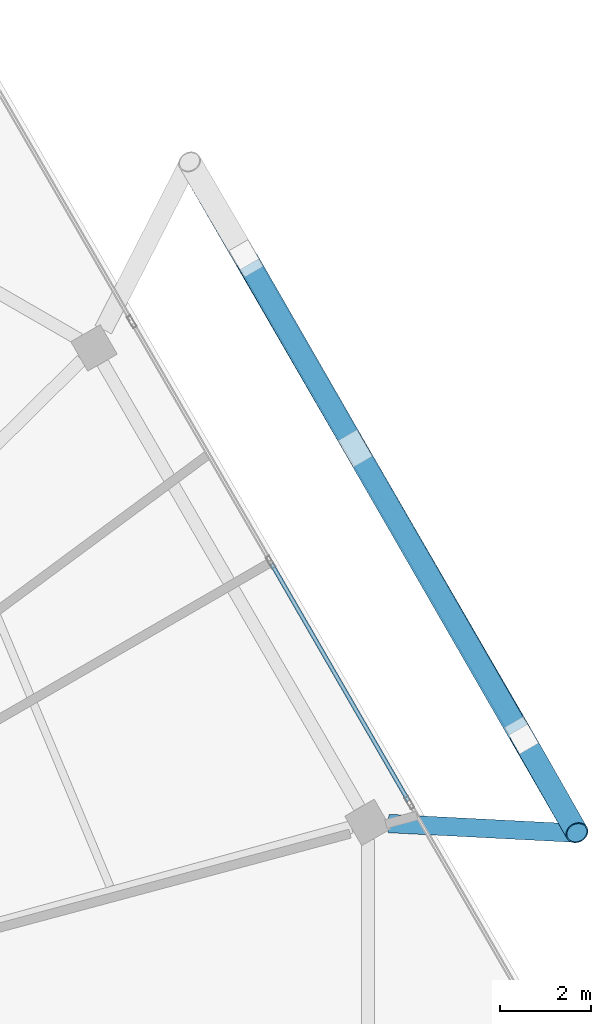
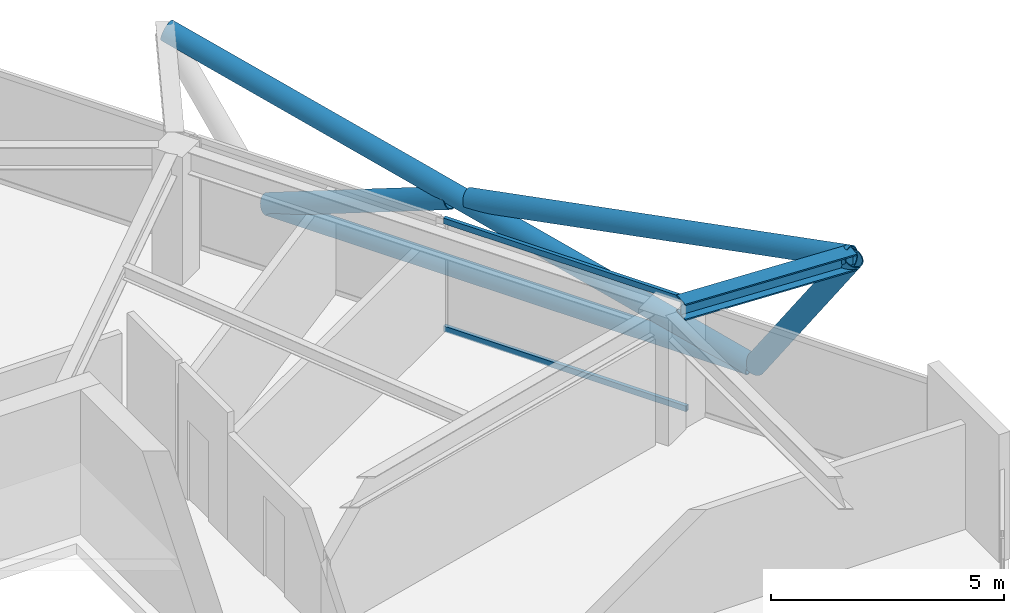
# One storey, part 14 of 23: 7 members, 1 beam, 1 element without a shape of its own.
"""IFC4 building model written with IfcOpenShell, lengths in metres."""

from ifc_helpers import new_model, si_unit, direction, frame, origin, origin_2d, place, context, subcontext, project, spatial, hollow_rectangle, hollow_circle, i_section, extrude, material, material_profile, profile_set, type_object, element, aggregate, save


model = new_model("IFC4")

# Units and contexts
model_context = context("Model", 3, precision=1e-05, world=origin(), true_north=direction((0.0, 1.0)))
body_context = subcontext(model_context, "Body", "Model", "MODEL_VIEW")
ifc_project = project(units=[si_unit("LENGTHUNIT", "METRE"), si_unit("AREAUNIT", "SQUARE_METRE"), si_unit("VOLUMEUNIT", "CUBIC_METRE"), si_unit("PLANEANGLEUNIT", "RADIAN"), si_unit("MASSUNIT", "GRAM", prefix="KILO")], contexts=[model_context])

# Site, building, storey
site_placement = place(None, origin())
site = spatial("IfcSite", under=ifc_project, at=site_placement, CompositionType="ELEMENT")
building_placement = place(site_placement, origin())
building = spatial("IfcBuilding", under=site, at=building_placement, Name="Zuhravey Tower", CompositionType="ELEMENT")
storey_placement = place(building_placement, frame((0.0, 0.0, 353.800048828125)))
storey = spatial("IfcBuildingStorey", under=building, at=storey_placement, Name="L90", CompositionType="ELEMENT", Elevation=353.800048828125)

# Curtain wall, members
ifc_material_1 = material(Name="Thermally broken anodised aluminium", Category="aluminium")
curtain_wall_type = type_object("IfcCurtainWallType", Name="Zone 3-4 High-Rise Curtain Wall CW4", PredefinedType="NOTDEFINED", material=ifc_material_1)
curtain_wall_placement = place(storey_placement, origin())
curtain_wall = element("IfcCurtainWall", 1, at=curtain_wall_placement, inside=storey, type_object=curtain_wall_type, Name="L90 CW4 CW-L90-F1-1", PredefinedType="NOTDEFINED")
ifc_material_2 = material(Name="Anodised aluminium", Category="aluminium")
ifc_material_profile_1 = material_profile(ifc_material_2, hollow_rectangle(XDim=0.090087890625, YDim=0.14990234375, WallThickness=0.0048828125, at=origin_2d()), Name="ALU-RHS-90x150x5")
ifc_profile_set_1 = profile_set([ifc_material_profile_1], Name="Anodised aluminium")
member_type_1 = type_object("IfcMemberType", Name="Curtain-Wall Transom 90x150", PredefinedType="USERDEFINED", material=ifc_profile_set_1)
member_1_placement = place(storey_placement, frame((56.871337890625, 43.998046875, 0.044921875), z_axis=(0.499988837749, -0.866031848217, 0.0), x_axis=(0.866031848217, 0.499988837749, 0.0)))
member_1 = element("IfcMember", 2, at=member_1_placement, type_object=member_type_1, Name="CW4 transom 3.1", ObjectType="TRANSOM", PredefinedType="USERDEFINED", context=body_context, shape_type="SweptSolid", body=[
    extrude(hollow_rectangle(XDim=0.090087890625, YDim=0.14990234375, WallThickness=0.0048828125, at=origin_2d()), origin(), (0.0, 0.0, 1.0), 6.029541015625),
])
member_2_placement = place(storey_placement, frame((56.871337890625, 43.998046875, 2.876953125), z_axis=(0.499988837749, -0.866031848217, 0.0), x_axis=(0.866031848217, 0.499988837749, 0.0)))
member_2 = element("IfcMember", 3, at=member_2_placement, type_object=member_type_1, Name="CW4 transom 3.2", ObjectType="TRANSOM", PredefinedType="USERDEFINED", context=body_context, shape_type="SweptSolid", body=[
    extrude(hollow_rectangle(XDim=0.090087890625, YDim=0.14990234375, WallThickness=0.0048828125, at=origin_2d()), origin(), (0.0, 0.0, 1.0), 6.029541015625),
])
aggregate(curtain_wall, [member_1, member_2])

# Beam
ifc_material_3 = material(Name="Steel SM460", Category="steel")
ifc_material_profile_2 = material_profile(ifc_material_3, i_section(OverallWidth=0.406982421875, OverallDepth=0.427978515625, WebThickness=0.02001953125, FlangeThickness=0.034912109375, at=origin_2d()), Name="H-428x407x20x35")
ifc_profile_set_2 = profile_set([ifc_material_profile_2], Name="Steel SM460")
beam_type = type_object("IfcBeamType", Name="Exoskeleton Node Tie Beam H428x407", PredefinedType="BEAM", material=ifc_profile_set_2)
beam_placement = place(storey_placement, frame((59.443603515625, 38.279296875, 3.135986328125), z_axis=(0.998681254256, -0.051339579258, 0.0), x_axis=(0.051339579258, 0.998681254256, 0.0)))
element("IfcBeam", 4, at=beam_placement, inside=storey, type_object=beam_type, Name="L90 Exoskeleton Node Tie NT1-01", PredefinedType="BEAM", context=body_context, shape_type="SweptSolid", body=[
    extrude(i_section(OverallWidth=0.406982421875, OverallDepth=0.427978515625, WebThickness=0.02001953125, FlangeThickness=0.034912109375, at=origin_2d()), origin(), (0.0, 0.0, 1.0), 4.1513671875),
])

# Members
ifc_material_4 = material(Name="Steel SM355", Category="steel")
ifc_material_profile_3 = material_profile(ifc_material_4, hollow_circle(Radius=0.228515625, WallThickness=0.02197265625, at=origin_2d()), Name="CHS-457.2x22")
ifc_profile_set_3 = profile_set([ifc_material_profile_3], Name="Steel SM355")
member_type_2 = type_object("IfcMemberType", Name="Exoskeleton Ring Tie CHS457x22", PredefinedType="CHORD", material=ifc_profile_set_3)
member_3_placement = place(storey_placement, frame((62.306640625, 40.34375, -0.59912109375), z_axis=(-0.500004115931, 0.866023027437, 0.0), x_axis=(-0.866023027437, -0.500004115931, 0.0)))
element("IfcMember", 5, at=member_3_placement, inside=storey, type_object=member_type_2, Name="L90 Exoskeleton Face 1 Tie EXR1", PredefinedType="CHORD", context=body_context, shape_type="SweptSolid", body=[
    extrude(hollow_circle(Radius=0.228515625, WallThickness=0.02197265625, at=origin_2d()), origin(), (0.0, 0.0, 1.0), 11.85498046875),
])
ifc_material_profile_4 = material_profile(ifc_material_4, hollow_circle(Radius=0.25390625, WallThickness=0.02490234375, at=origin_2d()), Name="CHS-508.0x25")
ifc_profile_set_4 = profile_set([ifc_material_profile_4], Name="Steel SM355")
member_type_3 = type_object("IfcMemberType", Name="Exoskeleton Zone 4 Diagrid CHS508x25", PredefinedType="BRACE", material=ifc_profile_set_4)
member_4_placement = place(storey_placement, frame((62.3818359375, 40.21337890625, -0.5830078125), z_axis=(0.273843357145, -0.481024224703, 0.832841828318), x_axis=(0.869041764524, 0.494738730557, 0.0)))
element("IfcMember", 6, at=member_4_placement, inside=storey, type_object=member_type_3, Name="L90 Face 1 Diagrid Brace 1", PredefinedType="BRACE", context=body_context, shape_type="SweptSolid", body=[
    extrude(hollow_circle(Radius=0.25390625, WallThickness=0.02490234375, at=origin_2d()), origin(), (0.0, 0.0, 1.0), 4.446044921875),
])
member_5_placement = place(storey_placement, frame((62.350830078125, 40.267333984375, -0.5859375), z_axis=(-0.485303235079, 0.838560702934, 0.247581739063), x_axis=(-0.865506508674, -0.500897677618, 0.0)))
element("IfcMember", 7, at=member_5_placement, inside=storey, type_object=member_type_3, Name="L90 Face 1 Diagrid Brace 2", PredefinedType="BRACE", context=body_context, shape_type="SweptSolid", body=[
    extrude(hollow_circle(Radius=0.25390625, WallThickness=0.02490234375, at=origin_2d()), origin(), (0.0, 0.0, 1.0), 14.97998046875),
])
member_6_placement = place(storey_placement, frame((56.333984375, 50.6884765625, -0.579833984375), z_axis=(0.465076852314, -0.808378846506, 0.360870007015), x_axis=(0.866786263043, 0.498679831354, 0.0)))
element("IfcMember", 8, at=member_6_placement, inside=storey, type_object=member_type_3, Name="L90 Face 1 Split Diagrid Brace 3A", PredefinedType="BRACE", context=body_context, shape_type="SweptSolid", body=[
    extrude(hollow_circle(Radius=0.25390625, WallThickness=0.02490234375, at=origin_2d()), origin(), (0.0, 0.0, 1.0), 4.877685546875),
])
member_7_placement = place(storey_placement, frame((58.835693359375, 46.34033203125, 1.314208984375), z_axis=(0.490475808269, -0.851073743701, 0.187368525335), x_axis=(0.866418279745, 0.499318900627, 0.0)))
element("IfcMember", 9, at=member_7_placement, inside=storey, type_object=member_type_3, Name="L90 Face 1 Split Diagrid Brace 3B", PredefinedType="BRACE", context=body_context, shape_type="SweptSolid", body=[
    extrude(hollow_circle(Radius=0.25390625, WallThickness=0.02490234375, at=origin_2d()), origin(), (0.0, 0.0, 1.0), 9.66943359375),
])

save(model, "model.ifc")
